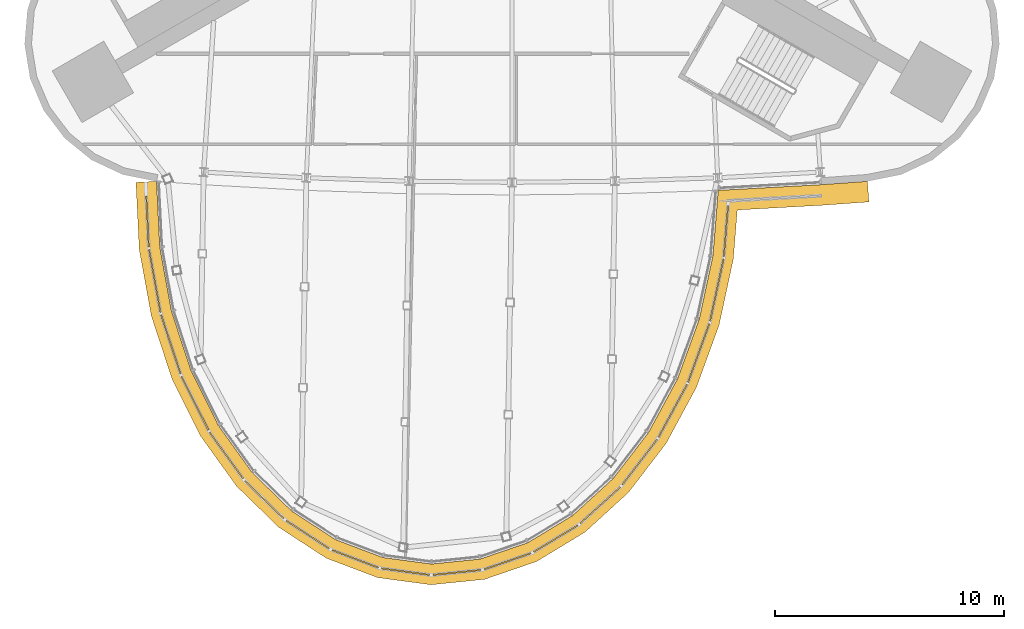
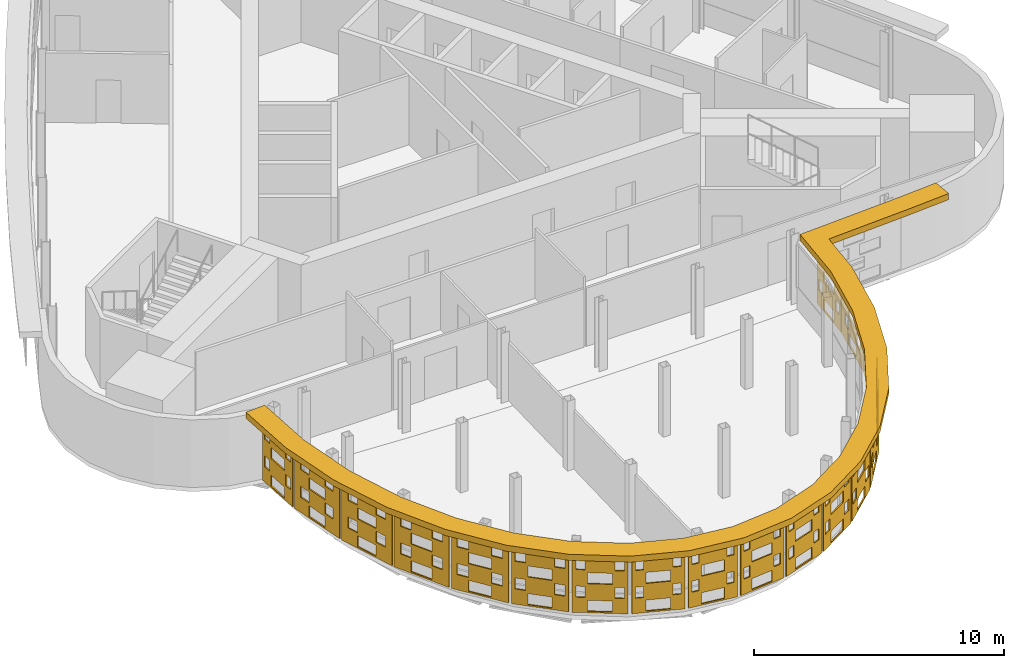
# One storey, part 12 of 14: 19 shading devices.
"""IFC4 building model written with IfcOpenShell, lengths in metres."""

from ifc_helpers import new_model, si_unit, direction, frame, origin, place, context, subcontext, project, spatial, polyline, outline, extrude, material, layer, layer_set, type_object, element, save


model = new_model("IFC4")

# Units and contexts
model_context = context("Model", 3, precision=1e-05, world=origin(), true_north=direction((0.0, 1.0)))
body_context = subcontext(model_context, "Body", "Model", "MODEL_VIEW")
ifc_project = project(units=[si_unit("LENGTHUNIT", "METRE"), si_unit("AREAUNIT", "SQUARE_METRE"), si_unit("VOLUMEUNIT", "CUBIC_METRE"), si_unit("PLANEANGLEUNIT", "RADIAN"), si_unit("MASSUNIT", "GRAM", prefix="KILO")], contexts=[model_context])

# Site, building, storey
site_placement = place(None, origin())
site = spatial("IfcSite", under=ifc_project, at=site_placement, CompositionType="ELEMENT")
building_placement = place(site_placement, origin())
building = spatial("IfcBuilding", under=site, at=building_placement, Name="Noor Cloister Tower", CompositionType="ELEMENT")
storey_placement = place(building_placement, frame((0.0, 0.0, 222.0)))
storey = spatial("IfcBuildingStorey", under=building, at=storey_placement, Name="L57", CompositionType="ELEMENT", Elevation=222.0)

# Shading devices
ifc_material_1 = material(Name="Limestone", Category="masonry")
ifc_layer = layer(ifc_material_1, 0.06005859375)
ifc_layer_set = layer_set([ifc_layer], Name="SCREEN woven limestone pod 35 percent open")
shading_device_type_1 = type_object("IfcShadingDeviceType", Name="SCREEN woven limestone pod 35 percent open", PredefinedType="USERDEFINED", material=ifc_layer_set)
shading_device_1_placement = place(storey_placement, frame((-15.8720703125, -16.65380859375, 1.85009765625), z_axis=(-0.998802653687, -0.048920946303, 0.0), x_axis=(0.048920946303, -0.998802653687, 0.0)))
element("IfcShadingDevice", 1, at=shading_device_1_placement, inside=storey, type_object=shading_device_type_1, Name="SCREEN L57 1", ObjectType="SCREEN", PredefinedType="USERDEFINED", context=body_context, shape_type="SweptSolid", body=[
    extrude(outline(polyline([(-1.11572265625, -1.35009765625), (1.11572265625, -1.35009765625), (1.11572265625, 1.35009765625), (-1.11572265625, 1.35009765625), (-1.11572265625, -1.35009765625)]), holes=[polyline([(-0.5, -1.282470703125), (0.5, -1.282470703125), (0.5, -0.742431640625), (-0.5, -0.742431640625), (-0.5, -1.282470703125)]), polyline([(0.60009765625, -0.607421875), (0.965576171875, -0.607421875), (0.965576171875, -0.0673828125), (0.60009765625, -0.0673828125), (0.60009765625, -0.607421875)]), polyline([(-0.965576171875, -0.607421875), (-0.60009765625, -0.607421875), (-0.60009765625, -0.0673828125), (-0.965576171875, -0.0673828125), (-0.965576171875, -0.607421875)]), polyline([(-0.5, 0.0673828125), (0.5, 0.0673828125), (0.5, 0.607421875), (-0.5, 0.607421875), (-0.5, 0.0673828125)]), polyline([(0.60009765625, 0.742431640625), (0.965576171875, 0.742431640625), (0.965576171875, 1.282470703125), (0.60009765625, 1.282470703125), (0.60009765625, 0.742431640625)]), polyline([(-0.965576171875, 0.742431640625), (-0.60009765625, 0.742431640625), (-0.60009765625, 1.282470703125), (-0.965576171875, 1.282470703125), (-0.965576171875, 0.742431640625)])]), origin(), (0.0, 0.0, 1.0), 0.059814453125),
])
shading_device_2_placement = place(storey_placement, frame((-15.5556640625, -19.240234375, 1.85009765625), z_axis=(-0.9838699101, -0.1788854382, 0.0), x_axis=(0.1788854382, -0.9838699101, 0.0)))
element("IfcShadingDevice", 2, at=shading_device_2_placement, inside=storey, type_object=shading_device_type_1, Name="SCREEN L57 2", ObjectType="SCREEN", PredefinedType="USERDEFINED", context=body_context, shape_type="SweptSolid", body=[
    extrude(outline(polyline([(-1.396240234375, -1.35009765625), (1.396240234375, -1.35009765625), (1.396240234375, 1.35009765625), (-1.396240234375, 1.35009765625), (-1.396240234375, -1.35009765625)]), holes=[polyline([(-0.5, -1.282470703125), (0.5, -1.282470703125), (0.5, -0.742431640625), (-0.5, -0.742431640625), (-0.5, -1.282470703125)]), polyline([(-1.0, -0.607421875), (-0.5, -0.607421875), (-0.5, -0.0673828125), (-1.0, -0.0673828125), (-1.0, -0.607421875)]), polyline([(0.5, -0.607421875), (1.0, -0.607421875), (1.0, -0.0673828125), (0.5, -0.0673828125), (0.5, -0.607421875)]), polyline([(-0.5, 0.0673828125), (0.5, 0.0673828125), (0.5, 0.607421875), (-0.5, 0.607421875), (-0.5, 0.0673828125)]), polyline([(-1.0, 0.742431640625), (-0.5, 0.742431640625), (-0.5, 1.282470703125), (-1.0, 1.282470703125), (-1.0, 0.742431640625)]), polyline([(0.5, 0.742431640625), (1.0, 0.742431640625), (1.0, 1.282470703125), (0.5, 1.282470703125), (0.5, 0.742431640625)])]), origin(), (0.0, 0.0, 1.0), 0.06005859375),
])
shading_device_3_placement = place(storey_placement, frame((-14.85595703125, -22.00341796875, 1.85009765625), z_axis=(-0.949894076132, -0.312571982317, 0.0), x_axis=(0.312571982317, -0.949894076132, 0.0)))
element("IfcShadingDevice", 3, at=shading_device_3_placement, inside=storey, type_object=shading_device_type_1, Name="SCREEN L57 3", ObjectType="SCREEN", PredefinedType="USERDEFINED", context=body_context, shape_type="SweptSolid", body=[
    extrude(outline(polyline([(-1.359375, -1.35009765625), (1.359375, -1.35009765625), (1.359375, 1.35009765625), (-1.359375, 1.35009765625), (-1.359375, -1.35009765625)]), holes=[polyline([(-0.5, -1.282470703125), (0.5, -1.282470703125), (0.5, -0.742431640625), (-0.5, -0.742431640625), (-0.5, -1.282470703125)]), polyline([(-1.0, -0.607421875), (-0.5, -0.607421875), (-0.5, -0.0673828125), (-1.0, -0.0673828125), (-1.0, -0.607421875)]), polyline([(0.5, -0.607421875), (1.0, -0.607421875), (1.0, -0.0673828125), (0.5, -0.0673828125), (0.5, -0.607421875)]), polyline([(-0.5, 0.0673828125), (0.5, 0.0673828125), (0.5, 0.607421875), (-0.5, 0.607421875), (-0.5, 0.0673828125)]), polyline([(-1.0, 0.742431640625), (-0.5, 0.742431640625), (-0.5, 1.282470703125), (-1.0, 1.282470703125), (-1.0, 0.742431640625)]), polyline([(0.5, 0.742431640625), (1.0, 0.742431640625), (1.0, 1.282470703125), (0.5, 1.282470703125), (0.5, 0.742431640625)])]), origin(), (0.0, 0.0, 1.0), 0.06005859375),
])
shading_device_4_placement = place(storey_placement, frame((-13.80712890625, -24.562255859375, 1.85009765625), z_axis=(-0.893609619956, -0.44884501459, 0.0), x_axis=(0.44884501459, -0.893609619956, 0.0)))
element("IfcShadingDevice", 4, at=shading_device_4_placement, inside=storey, type_object=shading_device_type_1, Name="SCREEN L57 4", ObjectType="SCREEN", PredefinedType="USERDEFINED", context=body_context, shape_type="SweptSolid", body=[
    extrude(outline(polyline([(-1.307861328125, -1.35009765625), (1.307861328125, -1.35009765625), (1.307861328125, 1.35009765625), (-1.307861328125, 1.35009765625), (-1.307861328125, -1.35009765625)]), holes=[polyline([(-0.5, -1.282470703125), (0.5, -1.282470703125), (0.5, -0.742431640625), (-0.5, -0.742431640625), (-0.5, -1.282470703125)]), polyline([(-1.0, -0.607421875), (-0.5, -0.607421875), (-0.5, -0.0673828125), (-1.0, -0.0673828125), (-1.0, -0.607421875)]), polyline([(0.5, -0.607421875), (1.0, -0.607421875), (1.0, -0.0673828125), (0.5, -0.0673828125), (0.5, -0.607421875)]), polyline([(-0.5, 0.0673828125), (0.5, 0.0673828125), (0.5, 0.607421875), (-0.5, 0.607421875), (-0.5, 0.0673828125)]), polyline([(-1.0, 0.742431640625), (-0.5, 0.742431640625), (-0.5, 1.282470703125), (-1.0, 1.282470703125), (-1.0, 0.742431640625)]), polyline([(0.5, 0.742431640625), (1.0, 0.742431640625), (1.0, 1.282470703125), (0.5, 1.282470703125), (0.5, 0.742431640625)])]), origin(), (0.0, 0.0, 1.0), 0.059814453125),
])
shading_device_5_placement = place(storey_placement, frame((-12.437744140625, -26.840087890625, 1.85009765625), z_axis=(-0.81014213461, -0.586233504441, 0.0), x_axis=(0.586233504441, -0.81014213461, 0.0)))
element("IfcShadingDevice", 5, at=shading_device_5_placement, inside=storey, type_object=shading_device_type_1, Name="SCREEN L57 5", ObjectType="SCREEN", PredefinedType="USERDEFINED", context=body_context, shape_type="SweptSolid", body=[
    extrude(outline(polyline([(-1.24658203125, -1.35009765625), (1.24658203125, -1.35009765625), (1.24658203125, 1.35009765625), (-1.24658203125, 1.35009765625), (-1.24658203125, -1.35009765625)]), holes=[polyline([(-0.5, -1.282470703125), (0.5, -1.282470703125), (0.5, -0.742431640625), (-0.5, -0.742431640625), (-0.5, -1.282470703125)]), polyline([(-1.0, -0.607421875), (-0.5, -0.607421875), (-0.5, -0.0673828125), (-1.0, -0.0673828125), (-1.0, -0.607421875)]), polyline([(0.5, -0.607421875), (1.0, -0.607421875), (1.0, -0.0673828125), (0.5, -0.0673828125), (0.5, -0.607421875)]), polyline([(-0.5, 0.0673828125), (0.5, 0.0673828125), (0.5, 0.607421875), (-0.5, 0.607421875), (-0.5, 0.0673828125)]), polyline([(-1.0, 0.742431640625), (-0.5, 0.742431640625), (-0.5, 1.282470703125), (-1.0, 1.282470703125), (-1.0, 0.742431640625)]), polyline([(0.5, 0.742431640625), (1.0, 0.742431640625), (1.0, 1.282470703125), (0.5, 1.282470703125), (0.5, 0.742431640625)])]), origin(), (0.0, 0.0, 1.0), 0.06005859375),
])
shading_device_6_placement = place(storey_placement, frame((-10.785888671875, -28.767822265625, 1.85009765625), z_axis=(-0.696845584905, -0.717221186803, 0.0), x_axis=(0.717221186803, -0.696845584905, 0.0)))
element("IfcShadingDevice", 6, at=shading_device_6_placement, inside=storey, type_object=shading_device_type_1, Name="SCREEN L57 6", ObjectType="SCREEN", PredefinedType="USERDEFINED", context=body_context, shape_type="SweptSolid", body=[
    extrude(outline(polyline([(-1.182373046875, -1.35009765625), (1.182373046875, -1.35009765625), (1.182373046875, 1.35009765625), (-1.182373046875, 1.35009765625), (-1.182373046875, -1.35009765625)]), holes=[polyline([(-0.5, -1.282470703125), (0.5, -1.282470703125), (0.5, -0.742431640625), (-0.5, -0.742431640625), (-0.5, -1.282470703125)]), polyline([(0.60009765625, -0.607421875), (1.032470703125, -0.607421875), (1.032470703125, -0.0673828125), (0.60009765625, -0.0673828125), (0.60009765625, -0.607421875)]), polyline([(-1.032470703125, -0.607421875), (-0.60009765625, -0.607421875), (-0.60009765625, -0.0673828125), (-1.032470703125, -0.0673828125), (-1.032470703125, -0.607421875)]), polyline([(-0.5, 0.0673828125), (0.5, 0.0673828125), (0.5, 0.607421875), (-0.5, 0.607421875), (-0.5, 0.0673828125)]), polyline([(0.60009765625, 0.742431640625), (1.032470703125, 0.742431640625), (1.032470703125, 1.282470703125), (0.60009765625, 1.282470703125), (0.60009765625, 0.742431640625)]), polyline([(-1.032470703125, 0.742431640625), (-0.60009765625, 0.742431640625), (-0.60009765625, 1.282470703125), (-1.032470703125, 1.282470703125), (-1.032470703125, 0.742431640625)])]), origin(), (0.0, 0.0, 1.0), 0.059814453125),
])
shading_device_7_placement = place(storey_placement, frame((-8.897705078125, -30.284423828125, 1.85009765625), z_axis=(-0.545274379459, -0.838257628123, 0.0), x_axis=(0.838257628123, -0.545274379459, 0.0)))
element("IfcShadingDevice", 7, at=shading_device_7_placement, inside=storey, type_object=shading_device_type_1, Name="SCREEN L57 7", ObjectType="SCREEN", PredefinedType="USERDEFINED", context=body_context, shape_type="SweptSolid", body=[
    extrude(outline(polyline([(-1.122802734375, -1.35009765625), (1.122802734375, -1.35009765625), (1.122802734375, 1.35009765625), (-1.122802734375, 1.35009765625), (-1.122802734375, -1.35009765625)]), holes=[polyline([(-0.5, -1.282470703125), (0.5, -1.282470703125), (0.5, -0.742431640625), (-0.5, -0.742431640625), (-0.5, -1.282470703125)]), polyline([(0.60009765625, -0.607421875), (0.972900390625, -0.607421875), (0.972900390625, -0.0673828125), (0.60009765625, -0.0673828125), (0.60009765625, -0.607421875)]), polyline([(-0.972900390625, -0.607421875), (-0.60009765625, -0.607421875), (-0.60009765625, -0.0673828125), (-0.972900390625, -0.0673828125), (-0.972900390625, -0.607421875)]), polyline([(-0.5, 0.0673828125), (0.5, 0.0673828125), (0.5, 0.607421875), (-0.5, 0.607421875), (-0.5, 0.0673828125)]), polyline([(0.60009765625, 0.742431640625), (0.972900390625, 0.742431640625), (0.972900390625, 1.282470703125), (0.60009765625, 1.282470703125), (0.60009765625, 0.742431640625)]), polyline([(-0.972900390625, 0.742431640625), (-0.60009765625, 0.742431640625), (-0.60009765625, 1.282470703125), (-0.972900390625, 1.282470703125), (-0.972900390625, 0.742431640625)])]), origin(), (0.0, 0.0, 1.0), 0.06005859375),
])
shading_device_8_placement = place(storey_placement, frame((-6.828369140625, -31.340087890625, 1.85009765625), z_axis=(-0.355146418402, -0.934810687517, 0.0), x_axis=(0.934810687517, -0.355146418402, 0.0)))
element("IfcShadingDevice", 8, at=shading_device_8_placement, inside=storey, type_object=shading_device_type_1, Name="SCREEN L57 8", ObjectType="SCREEN", PredefinedType="USERDEFINED", context=body_context, shape_type="SweptSolid", body=[
    extrude(outline(polyline([(-1.07666015625, -1.35009765625), (1.07666015625, -1.35009765625), (1.07666015625, 1.35009765625), (-1.07666015625, 1.35009765625), (-1.07666015625, -1.35009765625)]), holes=[polyline([(-0.5, -1.282470703125), (0.5, -1.282470703125), (0.5, -0.742431640625), (-0.5, -0.742431640625), (-0.5, -1.282470703125)]), polyline([(0.60009765625, -0.607421875), (0.9267578125, -0.607421875), (0.9267578125, -0.0673828125), (0.60009765625, -0.0673828125), (0.60009765625, -0.607421875)]), polyline([(-0.9267578125, -0.607421875), (-0.60009765625, -0.607421875), (-0.60009765625, -0.0673828125), (-0.9267578125, -0.0673828125), (-0.9267578125, -0.607421875)]), polyline([(-0.5, 0.0673828125), (0.5, 0.0673828125), (0.5, 0.607421875), (-0.5, 0.607421875), (-0.5, 0.0673828125)]), polyline([(0.60009765625, 0.742431640625), (0.9267578125, 0.742431640625), (0.9267578125, 1.282470703125), (0.60009765625, 1.282470703125), (0.60009765625, 0.742431640625)]), polyline([(-0.9267578125, 0.742431640625), (-0.60009765625, 0.742431640625), (-0.60009765625, 1.282470703125), (-0.9267578125, 1.282470703125), (-0.9267578125, 0.742431640625)])]), origin(), (0.0, 0.0, 1.0), 0.059814453125),
])
shading_device_9_placement = place(storey_placement, frame((-4.641357421875, -31.896240234375, 1.85009765625), z_axis=(-0.134025693798, -0.99097785717, 0.0), x_axis=(0.99097785717, -0.134025693798, 0.0)))
element("IfcShadingDevice", 9, at=shading_device_9_placement, inside=storey, type_object=shading_device_type_1, Name="SCREEN L57 9", ObjectType="SCREEN", PredefinedType="USERDEFINED", context=body_context, shape_type="SweptSolid", body=[
    extrude(outline(polyline([(-1.05126953125, -1.35009765625), (1.05126953125, -1.35009765625), (1.05126953125, 1.35009765625), (-1.05126953125, 1.35009765625), (-1.05126953125, -1.35009765625)]), holes=[polyline([(-0.5, -1.282470703125), (0.5, -1.282470703125), (0.5, -0.742431640625), (-0.5, -0.742431640625), (-0.5, -1.282470703125)]), polyline([(0.60009765625, -0.607421875), (0.9013671875, -0.607421875), (0.9013671875, -0.0673828125), (0.60009765625, -0.0673828125), (0.60009765625, -0.607421875)]), polyline([(-0.9013671875, -0.607421875), (-0.60009765625, -0.607421875), (-0.60009765625, -0.0673828125), (-0.9013671875, -0.0673828125), (-0.9013671875, -0.607421875)]), polyline([(-0.5, 0.0673828125), (0.5, 0.0673828125), (0.5, 0.607421875), (-0.5, 0.607421875), (-0.5, 0.0673828125)]), polyline([(0.60009765625, 0.742431640625), (0.9013671875, 0.742431640625), (0.9013671875, 1.282470703125), (0.60009765625, 1.282470703125), (0.60009765625, 0.742431640625)]), polyline([(-0.9013671875, 0.742431640625), (-0.60009765625, 0.742431640625), (-0.60009765625, 1.282470703125), (-0.9013671875, 1.282470703125), (-0.9013671875, 0.742431640625)])]), origin(), (0.0, 0.0, 1.0), 0.06005859375),
])
shading_device_10_placement = place(storey_placement, frame((-2.408447265625, -31.93212890625, 1.85009765625), z_axis=(0.101925414299, -0.994792043555, 0.0), x_axis=(0.994792043555, 0.101925414299, 0.0)))
element("IfcShadingDevice", 10, at=shading_device_10_placement, inside=storey, type_object=shading_device_type_1, Name="SCREEN L57 10", ObjectType="SCREEN", PredefinedType="USERDEFINED", context=body_context, shape_type="SweptSolid", body=[
    extrude(outline(polyline([(-1.05126953125, -1.35009765625), (1.05126953125, -1.35009765625), (1.05126953125, 1.35009765625), (-1.05126953125, 1.35009765625), (-1.05126953125, -1.35009765625)]), holes=[polyline([(-0.5, -1.282470703125), (0.5, -1.282470703125), (0.5, -0.742431640625), (-0.5, -0.742431640625), (-0.5, -1.282470703125)]), polyline([(0.60009765625, -0.607421875), (0.9013671875, -0.607421875), (0.9013671875, -0.0673828125), (0.60009765625, -0.0673828125), (0.60009765625, -0.607421875)]), polyline([(-0.9013671875, -0.607421875), (-0.60009765625, -0.607421875), (-0.60009765625, -0.0673828125), (-0.9013671875, -0.0673828125), (-0.9013671875, -0.607421875)]), polyline([(-0.5, 0.0673828125), (0.5, 0.0673828125), (0.5, 0.607421875), (-0.5, 0.607421875), (-0.5, 0.0673828125)]), polyline([(0.60009765625, 0.742431640625), (0.9013671875, 0.742431640625), (0.9013671875, 1.282470703125), (0.60009765625, 1.282470703125), (0.60009765625, 0.742431640625)]), polyline([(-0.9013671875, 0.742431640625), (-0.60009765625, 0.742431640625), (-0.60009765625, 1.282470703125), (-0.9013671875, 1.282470703125), (-0.9013671875, 0.742431640625)])]), origin(), (0.0, 0.0, 1.0), 0.059814453125),
])
shading_device_11_placement = place(storey_placement, frame((-0.204833984375, -31.4462890625, 1.85009765625), z_axis=(0.325990683319, -0.945372981626, 0.0), x_axis=(0.945372981626, 0.325990683319, 0.0)))
element("IfcShadingDevice", 11, at=shading_device_11_placement, inside=storey, type_object=shading_device_type_1, Name="SCREEN L57 11", ObjectType="SCREEN", PredefinedType="USERDEFINED", context=body_context, shape_type="SweptSolid", body=[
    extrude(outline(polyline([(-1.07666015625, -1.35009765625), (1.07666015625, -1.35009765625), (1.07666015625, 1.35009765625), (-1.07666015625, 1.35009765625), (-1.07666015625, -1.35009765625)]), holes=[polyline([(-0.5, -1.282470703125), (0.5, -1.282470703125), (0.5, -0.742431640625), (-0.5, -0.742431640625), (-0.5, -1.282470703125)]), polyline([(0.60009765625, -0.607421875), (0.9267578125, -0.607421875), (0.9267578125, -0.0673828125), (0.60009765625, -0.0673828125), (0.60009765625, -0.607421875)]), polyline([(-0.9267578125, -0.607421875), (-0.60009765625, -0.607421875), (-0.60009765625, -0.0673828125), (-0.9267578125, -0.0673828125), (-0.9267578125, -0.607421875)]), polyline([(-0.5, 0.0673828125), (0.5, 0.0673828125), (0.5, 0.607421875), (-0.5, 0.607421875), (-0.5, 0.0673828125)]), polyline([(0.60009765625, 0.742431640625), (0.9267578125, 0.742431640625), (0.9267578125, 1.282470703125), (0.60009765625, 1.282470703125), (0.60009765625, 0.742431640625)]), polyline([(-0.9267578125, 0.742431640625), (-0.60009765625, 0.742431640625), (-0.60009765625, 1.282470703125), (-0.9267578125, 1.282470703125), (-0.9267578125, 0.742431640625)])]), origin(), (0.0, 0.0, 1.0), 0.059814453125),
])
shading_device_12_placement = place(storey_placement, frame((1.8974609375, -30.457763671875, 1.85009765625), z_axis=(0.517488728384, -0.855690023312, 0.0), x_axis=(0.855690023312, 0.517488728384, 0.0)))
element("IfcShadingDevice", 12, at=shading_device_12_placement, inside=storey, type_object=shading_device_type_1, Name="SCREEN L57 12", ObjectType="SCREEN", PredefinedType="USERDEFINED", context=body_context, shape_type="SweptSolid", body=[
    extrude(outline(polyline([(-1.122802734375, -1.35009765625), (1.122802734375, -1.35009765625), (1.122802734375, 1.35009765625), (-1.122802734375, 1.35009765625), (-1.122802734375, -1.35009765625)]), holes=[polyline([(-0.5, -1.282470703125), (0.5, -1.282470703125), (0.5, -0.742431640625), (-0.5, -0.742431640625), (-0.5, -1.282470703125)]), polyline([(0.60009765625, -0.607421875), (0.972900390625, -0.607421875), (0.972900390625, -0.0673828125), (0.60009765625, -0.0673828125), (0.60009765625, -0.607421875)]), polyline([(-0.972900390625, -0.607421875), (-0.60009765625, -0.607421875), (-0.60009765625, -0.0673828125), (-0.972900390625, -0.0673828125), (-0.972900390625, -0.607421875)]), polyline([(-0.5, 0.0673828125), (0.5, 0.0673828125), (0.5, 0.607421875), (-0.5, 0.607421875), (-0.5, 0.0673828125)]), polyline([(0.60009765625, 0.742431640625), (0.972900390625, 0.742431640625), (0.972900390625, 1.282470703125), (0.60009765625, 1.282470703125), (0.60009765625, 0.742431640625)]), polyline([(-0.972900390625, 0.742431640625), (-0.60009765625, 0.742431640625), (-0.60009765625, 1.282470703125), (-0.972900390625, 1.282470703125), (-0.972900390625, 0.742431640625)])]), origin(), (0.0, 0.0, 1.0), 0.059814453125),
])
shading_device_13_placement = place(storey_placement, frame((3.833251953125, -29.002197265625, 1.85009765625), z_axis=(0.671659103057, -0.740860343979, 0.0), x_axis=(0.740860343979, 0.671659103057, 0.0)))
element("IfcShadingDevice", 13, at=shading_device_13_placement, inside=storey, type_object=shading_device_type_1, Name="SCREEN L57 13", ObjectType="SCREEN", PredefinedType="USERDEFINED", context=body_context, shape_type="SweptSolid", body=[
    extrude(outline(polyline([(-1.182373046875, -1.35009765625), (1.182373046875, -1.35009765625), (1.182373046875, 1.35009765625), (-1.182373046875, 1.35009765625), (-1.182373046875, -1.35009765625)]), holes=[polyline([(-0.5, -1.282470703125), (0.5, -1.282470703125), (0.5, -0.742431640625), (-0.5, -0.742431640625), (-0.5, -1.282470703125)]), polyline([(0.60009765625, -0.607421875), (1.032470703125, -0.607421875), (1.032470703125, -0.0673828125), (0.60009765625, -0.0673828125), (0.60009765625, -0.607421875)]), polyline([(-1.032470703125, -0.607421875), (-0.60009765625, -0.607421875), (-0.60009765625, -0.0673828125), (-1.032470703125, -0.0673828125), (-1.032470703125, -0.607421875)]), polyline([(-0.5, 0.0673828125), (0.5, 0.0673828125), (0.5, 0.607421875), (-0.5, 0.607421875), (-0.5, 0.0673828125)]), polyline([(0.60009765625, 0.742431640625), (1.032470703125, 0.742431640625), (1.032470703125, 1.282470703125), (0.60009765625, 1.282470703125), (0.60009765625, 0.742431640625)]), polyline([(-1.032470703125, 0.742431640625), (-0.60009765625, 0.742431640625), (-0.60009765625, 1.282470703125), (-1.032470703125, 1.282470703125), (-1.032470703125, 0.742431640625)])]), origin(), (0.0, 0.0, 1.0), 0.06005859375),
])
shading_device_14_placement = place(storey_placement, frame((5.5458984375, -27.128662109375, 1.85009765625), z_axis=(0.792623989105, -0.60971076085, 0.0), x_axis=(0.60971076085, 0.792623989105, 0.0)))
element("IfcShadingDevice", 14, at=shading_device_14_placement, inside=storey, type_object=shading_device_type_1, Name="SCREEN L57 14", ObjectType="SCREEN", PredefinedType="USERDEFINED", context=body_context, shape_type="SweptSolid", body=[
    extrude(outline(polyline([(-1.24658203125, -1.35009765625), (1.24658203125, -1.35009765625), (1.24658203125, 1.35009765625), (-1.24658203125, 1.35009765625), (-1.24658203125, -1.35009765625)]), holes=[polyline([(-0.5, -1.282470703125), (0.5, -1.282470703125), (0.5, -0.742431640625), (-0.5, -0.742431640625), (-0.5, -1.282470703125)]), polyline([(-1.0, -0.607421875), (-0.5, -0.607421875), (-0.5, -0.0673828125), (-1.0, -0.0673828125), (-1.0, -0.607421875)]), polyline([(0.5, -0.607421875), (1.0, -0.607421875), (1.0, -0.0673828125), (0.5, -0.0673828125), (0.5, -0.607421875)]), polyline([(-0.5, 0.0673828125), (0.5, 0.0673828125), (0.5, 0.607421875), (-0.5, 0.607421875), (-0.5, 0.0673828125)]), polyline([(-1.0, 0.742431640625), (-0.5, 0.742431640625), (-0.5, 1.282470703125), (-1.0, 1.282470703125), (-1.0, 0.742431640625)]), polyline([(0.5, 0.742431640625), (1.0, 0.742431640625), (1.0, 1.282470703125), (0.5, 1.282470703125), (0.5, 0.742431640625)])]), origin(), (0.0, 0.0, 1.0), 0.06005859375),
])
shading_device_15_placement = place(storey_placement, frame((6.98779296875, -24.89599609375, 1.85009765625), z_axis=(0.879291966537, -0.476283148541, 0.0), x_axis=(0.476283148541, 0.879291966537, 0.0)))
element("IfcShadingDevice", 15, at=shading_device_15_placement, inside=storey, type_object=shading_device_type_1, Name="SCREEN L57 15", ObjectType="SCREEN", PredefinedType="USERDEFINED", context=body_context, shape_type="SweptSolid", body=[
    extrude(outline(polyline([(-1.307861328125, -1.35009765625), (1.307861328125, -1.35009765625), (1.307861328125, 1.35009765625), (-1.307861328125, 1.35009765625), (-1.307861328125, -1.35009765625)]), holes=[polyline([(-0.5, -1.282470703125), (0.5, -1.282470703125), (0.5, -0.742431640625), (-0.5, -0.742431640625), (-0.5, -1.282470703125)]), polyline([(-1.0, -0.607421875), (-0.5, -0.607421875), (-0.5, -0.0673828125), (-1.0, -0.0673828125), (-1.0, -0.607421875)]), polyline([(0.5, -0.607421875), (1.0, -0.607421875), (1.0, -0.0673828125), (0.5, -0.0673828125), (0.5, -0.607421875)]), polyline([(-0.5, 0.0673828125), (0.5, 0.0673828125), (0.5, 0.607421875), (-0.5, 0.607421875), (-0.5, 0.0673828125)]), polyline([(-1.0, 0.742431640625), (-0.5, 0.742431640625), (-0.5, 1.282470703125), (-1.0, 1.282470703125), (-1.0, 0.742431640625)]), polyline([(0.5, 0.742431640625), (1.0, 0.742431640625), (1.0, 1.282470703125), (0.5, 1.282470703125), (0.5, 0.742431640625)])]), origin(), (0.0, 0.0, 1.0), 0.06005859375),
])
shading_device_16_placement = place(storey_placement, frame((8.1181640625, -22.3720703125, 1.85009765625), z_axis=(0.939793423488, -0.341743063087, 0.0), x_axis=(0.341743063087, 0.939793423488, 0.0)))
element("IfcShadingDevice", 16, at=shading_device_16_placement, inside=storey, type_object=shading_device_type_1, Name="SCREEN L57 16", ObjectType="SCREEN", PredefinedType="USERDEFINED", context=body_context, shape_type="SweptSolid", body=[
    extrude(outline(polyline([(-1.359375, -1.35009765625), (1.359375, -1.35009765625), (1.359375, 1.35009765625), (-1.359375, 1.35009765625), (-1.359375, -1.35009765625)]), holes=[polyline([(-0.5, -1.282470703125), (0.5, -1.282470703125), (0.5, -0.742431640625), (-0.5, -0.742431640625), (-0.5, -1.282470703125)]), polyline([(-1.0, -0.607421875), (-0.5, -0.607421875), (-0.5, -0.0673828125), (-1.0, -0.0673828125), (-1.0, -0.607421875)]), polyline([(0.5, -0.607421875), (1.0, -0.607421875), (1.0, -0.0673828125), (0.5, -0.0673828125), (0.5, -0.607421875)]), polyline([(-0.5, 0.0673828125), (0.5, 0.0673828125), (0.5, 0.607421875), (-0.5, 0.607421875), (-0.5, 0.0673828125)]), polyline([(-1.0, 0.742431640625), (-0.5, 0.742431640625), (-0.5, 1.282470703125), (-1.0, 1.282470703125), (-1.0, 0.742431640625)]), polyline([(0.5, 0.742431640625), (1.0, 0.742431640625), (1.0, 1.282470703125), (0.5, 1.282470703125), (0.5, 0.742431640625)])]), origin(), (0.0, 0.0, 1.0), 0.06005859375),
])
shading_device_17_placement = place(storey_placement, frame((8.90625, -19.632568359375, 1.85009765625), z_axis=(0.977323140027, -0.211753347006, 0.0), x_axis=(0.211753347006, 0.977323140027, 0.0)))
element("IfcShadingDevice", 17, at=shading_device_17_placement, inside=storey, type_object=shading_device_type_1, Name="SCREEN L57 17", ObjectType="SCREEN", PredefinedType="USERDEFINED", context=body_context, shape_type="SweptSolid", body=[
    extrude(outline(polyline([(-1.396240234375, -1.35009765625), (1.396240234375, -1.35009765625), (1.396240234375, 1.35009765625), (-1.396240234375, 1.35009765625), (-1.396240234375, -1.35009765625)]), holes=[polyline([(-0.5, -1.282470703125), (0.5, -1.282470703125), (0.5, -0.742431640625), (-0.5, -0.742431640625), (-0.5, -1.282470703125)]), polyline([(-1.0, -0.607421875), (-0.5, -0.607421875), (-0.5, -0.0673828125), (-1.0, -0.0673828125), (-1.0, -0.607421875)]), polyline([(0.5, -0.607421875), (1.0, -0.607421875), (1.0, -0.0673828125), (0.5, -0.0673828125), (0.5, -0.607421875)]), polyline([(-0.5, 0.0673828125), (0.5, 0.0673828125), (0.5, 0.607421875), (-0.5, 0.607421875), (-0.5, 0.0673828125)]), polyline([(-1.0, 0.742431640625), (-0.5, 0.742431640625), (-0.5, 1.282470703125), (-1.0, 1.282470703125), (-1.0, 0.742431640625)]), polyline([(0.5, 0.742431640625), (1.0, 0.742431640625), (1.0, 1.282470703125), (0.5, 1.282470703125), (0.5, 0.742431640625)])]), origin(), (0.0, 0.0, 1.0), 0.06005859375),
])
shading_device_18_placement = place(storey_placement, frame((9.30517578125, -17.0576171875, 1.85009765625), z_axis=(0.996684615823, -0.081362009455, 0.0), x_axis=(0.081362009455, 0.996684615823, 0.0)))
element("IfcShadingDevice", 18, at=shading_device_18_placement, inside=storey, type_object=shading_device_type_1, Name="SCREEN L57 18", ObjectType="SCREEN", PredefinedType="USERDEFINED", context=body_context, shape_type="SweptSolid", body=[
    extrude(outline(polyline([(-1.11572265625, -1.35009765625), (1.11572265625, -1.35009765625), (1.11572265625, 1.35009765625), (-1.11572265625, 1.35009765625), (-1.11572265625, -1.35009765625)]), holes=[polyline([(-0.5, -1.282470703125), (0.5, -1.282470703125), (0.5, -0.742431640625), (-0.5, -0.742431640625), (-0.5, -1.282470703125)]), polyline([(0.60009765625, -0.607421875), (0.965576171875, -0.607421875), (0.965576171875, -0.0673828125), (0.60009765625, -0.0673828125), (0.60009765625, -0.607421875)]), polyline([(-0.965576171875, -0.607421875), (-0.60009765625, -0.607421875), (-0.60009765625, -0.0673828125), (-0.965576171875, -0.0673828125), (-0.965576171875, -0.607421875)]), polyline([(-0.5, 0.0673828125), (0.5, 0.0673828125), (0.5, 0.607421875), (-0.5, 0.607421875), (-0.5, 0.0673828125)]), polyline([(0.60009765625, 0.742431640625), (0.965576171875, 0.742431640625), (0.965576171875, 1.282470703125), (0.60009765625, 1.282470703125), (0.60009765625, 0.742431640625)]), polyline([(-0.965576171875, 0.742431640625), (-0.60009765625, 0.742431640625), (-0.60009765625, 1.282470703125), (-0.965576171875, 1.282470703125), (-0.965576171875, 0.742431640625)])]), origin(), (0.0, 0.0, 1.0), 0.06005859375),
])
ifc_material_2 = material(Name="Limestone", Category="masonry")
shading_device_type_2 = type_object("IfcShadingDeviceType", Name="SUNSHADE limestone band 900", PredefinedType="USERDEFINED", material=ifc_material_2)
shading_device_19_placement = place(storey_placement, frame((0.0, 0.0, 3.300048828125)))
element("IfcShadingDevice", 19, at=shading_device_19_placement, inside=storey, type_object=shading_device_type_2, Name="SUNSHADE L57 2", ObjectType="SUNSHADE", PredefinedType="USERDEFINED", context=body_context, shape_type="SweptSolid", body=[
    extrude(outline(polyline([(-16.40625, -14.942138671875), (-16.26318359375, -17.869140625), (-15.733154296875, -20.77490234375), (-14.83251953125, -23.516845703125), (-13.583740234375, -26.015380859375), (-12.01806640625, -28.196044921875), (-10.175048828125, -29.990478515625), (-8.103759765625, -31.337646484375), (-5.865478515625, -32.18603515625), (-3.5341796875, -32.498779296875), (-1.1943359375, -32.260986328125), (1.070068359375, -31.48486328125), (3.18359375, -30.204833984375), (5.083251953125, -28.47021484375), (6.718017578125, -26.341064453125), (8.04638671875, -23.884033203125), (9.034423828125, -21.172119140625), (9.6572265625, -18.284912109375), (9.83056640625, -16.146484375), (13.547119140625, -15.940673828125), (15.571533203125, -15.7958984375), (15.50732421875, -14.898193359375), (13.489990234375, -15.04248046875), (8.9970703125, -15.291259765625), (8.764892578125, -18.153076171875), (8.167724609375, -20.922119140625), (7.22314453125, -23.513916015625), (5.96044921875, -25.85009765625), (4.417724609375, -27.859130859375), (2.641845703125, -29.480712890625), (0.686767578125, -30.6650390625), (-1.38818359375, -31.376220703125), (-3.519775390625, -31.5927734375), (-5.643310546875, -31.307861328125), (-7.6943359375, -30.530517578125), (-9.6103515625, -29.2841796875), (-11.333251953125, -27.6064453125), (-12.810791015625, -25.548828125), (-13.998046875, -23.173583984375), (-14.85888671875, -20.552734375), (-15.366943359375, -17.76611328125), (-15.50732421875, -14.898193359375), (-16.40625, -14.942138671875)])), origin(), (0.0, 0.0, 1.0), 0.300048828125),
])

save(model, "model.ifc")
